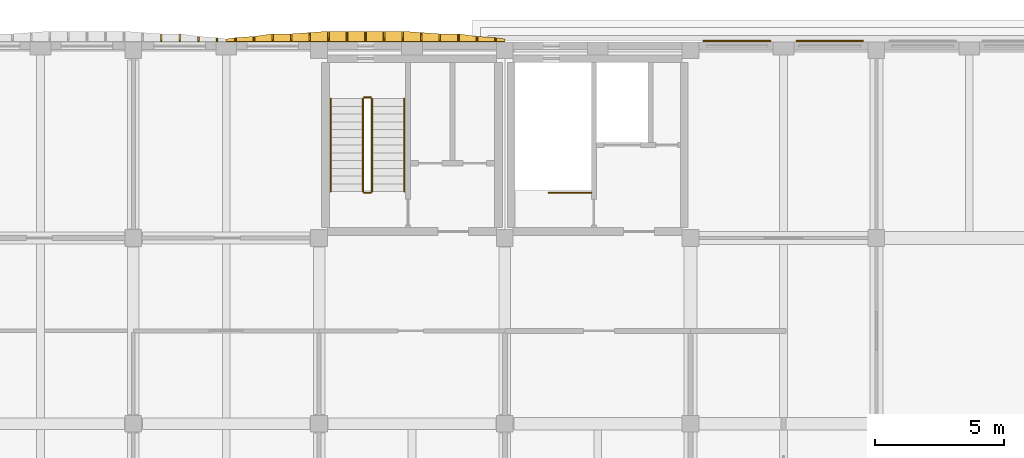
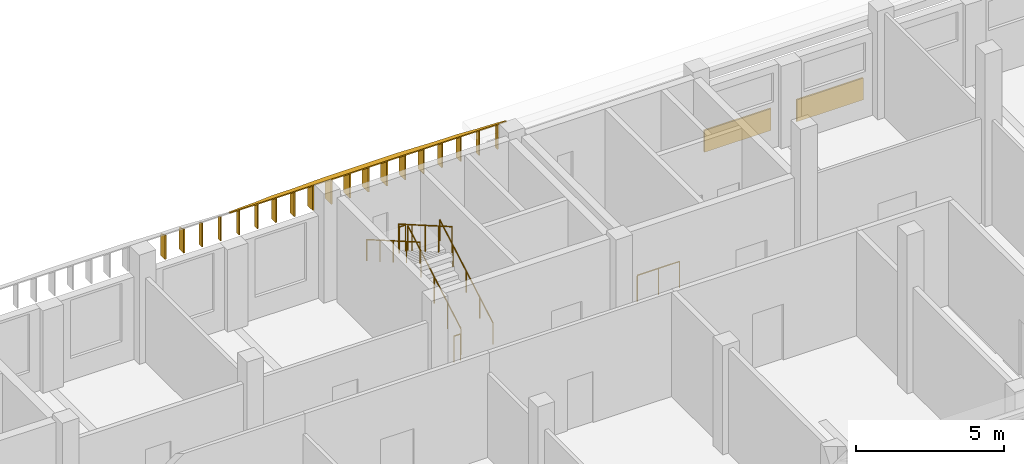
# One storey, part 53 of 58: 22 shading devices, 7 railings.
"""IFC4 building model written with IfcOpenShell, lengths in metres."""

import ifcopenshell
import ifcopenshell.guid

model = None  # the IFC model being written
_history = None  # IfcOwnerHistory: only IFC2X3 demands one
_inside = {}  # id of a spatial element -> (the spatial element, [elements in it])
_under = {}  # id of a project, library or spatial element -> (it, [spatial elements below it])
_declared = {}  # id of a project -> (the project, [libraries it declares])
_typed = {}  # id of a type object -> (the type object, [elements of that type])
_made_of = {}  # id of a material, layer set ... -> (it, [elements and type objects made of it])


def new_model(schema):
    """Start an empty IFC model of exactly this schema.

    Asked for "IFC4X3", IfcOpenShell would pick the latest addendum, in which some entities
    have other attributes; the version numbers below select the first issue.
    IFC2X3 requires an IfcOwnerHistory on every rooted entity: one is made here for all.
    """
    global model, _history
    if schema == "IFC4X3":
        model = ifcopenshell.file(schema_version=(4, 3, 0, 0))
    else:
        model = ifcopenshell.file(schema=schema)
    _inside.clear()
    _under.clear()
    _declared.clear()
    _typed.clear()
    _made_of.clear()
    _history = None
    if model.schema == "IFC2X3":
        org = make("IfcOrganization", Name="unknown")
        user = make(
            "IfcPersonAndOrganization",
            ThePerson=make("IfcPerson", FamilyName="unknown"),
            TheOrganization=org,
        )
        app = make(
            "IfcApplication",
            ApplicationDeveloper=org,
            Version="unknown",
            ApplicationFullName="unknown",
            ApplicationIdentifier="unknown",
        )
        _history = make(
            "IfcOwnerHistory",
            OwningUser=user,
            OwningApplication=app,
            ChangeAction="ADDED",
            CreationDate=0,
        )
    return model


def make(cls, **values):
    """One entity of the class cls with the attributes given. An attribute that is None is left unset."""
    return model.create_entity(
        cls, **{name: value for name, value in values.items() if value is not None}
    )


def rooted(cls, **values):
    """An entity with a GlobalId (a new one), such as an element, a storey or a relation."""
    return make(cls, GlobalId=ifcopenshell.guid.new(), OwnerHistory=_history, **values)


def si_unit(unit_type, name, prefix=None):
    """IfcSIUnit, for example si_unit("LENGTHUNIT", "METRE", prefix="MILLI")."""
    return make("IfcSIUnit", UnitType=unit_type, Prefix=prefix, Name=name)


def assignment(units):
    """IfcUnitAssignment: the units of a project."""
    return None if units is None else make("IfcUnitAssignment", Units=units)


def point(xyz):
    """IfcCartesianPoint."""
    return None if xyz is None else make("IfcCartesianPoint", Coordinates=xyz)


def direction(xyz):
    """IfcDirection."""
    return None if xyz is None else make("IfcDirection", DirectionRatios=xyz)


def frame(location, z_axis=None, x_axis=None):
    """IfcAxis2Placement3D, a coordinate frame: its origin and axes. An axis left out is left unset."""
    return make(
        "IfcAxis2Placement3D",
        Location=point(location),
        Axis=direction(z_axis),
        RefDirection=direction(x_axis),
    )


def frame_2d(location, x_axis=None):
    """IfcAxis2Placement2D, a coordinate frame in the plane: its origin and x axis."""
    return make(
        "IfcAxis2Placement2D", Location=point(location), RefDirection=direction(x_axis)
    )


def origin():
    """The frame at (0, 0, 0) with its axes left unset."""
    return frame((0.0, 0.0, 0.0))


def origin_2d():
    """The frame at (0, 0) in the plane with its x axis left unset."""
    return frame_2d((0.0, 0.0))


def place(relative_to, where):
    """IfcLocalPlacement: puts the frame where relative to a parent placement (None: the world)."""
    return make(
        "IfcLocalPlacement", PlacementRelTo=relative_to, RelativePlacement=where
    )


def context(
    kind, dimensions, precision=None, world=None, true_north=None, identifier=None
):
    """IfcGeometricRepresentationContext, for example the 3D "Model" context."""
    return make(
        "IfcGeometricRepresentationContext",
        ContextIdentifier=identifier,
        ContextType=kind,
        CoordinateSpaceDimension=dimensions,
        Precision=precision,
        WorldCoordinateSystem=world,
        TrueNorth=true_north,
    )


def subcontext(parent, identifier, kind, view, scale=None):
    """IfcGeometricRepresentationSubContext, for example "Body" below "Model"."""
    return make(
        "IfcGeometricRepresentationSubContext",
        ContextIdentifier=identifier,
        ContextType=kind,
        ParentContext=parent,
        TargetScale=scale,
        TargetView=view,
    )


def project(units=None, contexts=None):
    """IfcProject with its units and contexts."""
    return rooted(
        "IfcProject",
        Name="project",
        RepresentationContexts=contexts,
        UnitsInContext=assignment(units),
    )


def spatial(cls, under=None, at=None, **own):
    """A site, building, storey or space (cls), placed at a placement, below another one or the project."""
    s = rooted(cls, ObjectPlacement=at, **own)
    if under is not None:
        _under.setdefault(under.id(), (under, []))[1].append(s)
    return s


def polyline(points):
    """IfcPolyline through the points."""
    return make("IfcPolyline", Points=[point(p) for p in points])


def profile(cls, at=None, kind="AREA", **sizes):
    """A parametric profile (cls). Its sizes go by their IFC names, for example OverallWidth=200.0."""
    return make(cls, ProfileType=kind, Position=at, **sizes)


def rectangle(**sizes):
    """IfcRectangleProfileDef."""
    return profile("IfcRectangleProfileDef", **sizes)


def circle(**sizes):
    """IfcCircleProfileDef."""
    return profile("IfcCircleProfileDef", **sizes)


def outline(outer, holes=None, kind="AREA"):
    """IfcArbitraryClosedProfileDef: a profile drawn as a closed curve; with holes, ...WithVoids."""
    if holes is None:
        return make("IfcArbitraryClosedProfileDef", ProfileType=kind, OuterCurve=outer)
    return make(
        "IfcArbitraryProfileDefWithVoids",
        ProfileType=kind,
        OuterCurve=outer,
        InnerCurves=holes,
    )


def extrude(swept, where, along, depth):
    """IfcExtrudedAreaSolid: the profile swept, set in the frame where, extruded along a direction by depth."""
    return make(
        "IfcExtrudedAreaSolid",
        SweptArea=swept,
        Position=where,
        ExtrudedDirection=direction(along),
        Depth=depth,
    )


def shape(context_of_items, identifier, shape_type, items):
    """IfcShapeRepresentation: the items that make up one representation, for example the "Body"."""
    return make(
        "IfcShapeRepresentation",
        ContextOfItems=context_of_items,
        RepresentationIdentifier=identifier,
        RepresentationType=shape_type,
        Items=items,
    )


def material(Name=None, Category=None):
    """IfcMaterial."""
    return make("IfcMaterial", Name=Name, Category=Category)


def layer(
    of_material, thickness, ventilated=None, Name=None, Category=None, Priority=None
):
    """IfcMaterialLayer: one layer of a wall or slab, of a material (None: an air gap)."""
    return make(
        "IfcMaterialLayer",
        Material=of_material,
        LayerThickness=thickness,
        IsVentilated=ventilated,
        Name=Name,
        Category=Category,
        Priority=Priority,
    )


def layer_set(layers, Name=None):
    """IfcMaterialLayerSet."""
    return make("IfcMaterialLayerSet", MaterialLayers=layers, LayerSetName=Name)


def made_of(thing, what):
    """Note that an element or type object is made of a material, layer set ...; save() writes the relation."""
    if what is not None:
        _made_of.setdefault(what.id(), (what, []))[1].append(thing)
    return thing


def type_object(cls, material=None, **own):
    """A type object (cls), such as IfcWallType, which elements share."""
    return made_of(rooted(cls, **own), material)


def element(
    cls,
    number,
    at=None,
    inside=None,
    cuts=None,
    type_object=None,
    material=None,
    context=None,
    identifier="Body",
    shape_type=None,
    held_by="IfcProductDefinitionShape",
    body=None,
    shapes=None,
    **own,
):
    """One element of the class cls, such as IfcWall. Its Tag is "e" and its number.

    at: its placement. inside: the storey or other place that contains it. cuts: it is an
    opening in that element (IfcRelVoidsElement). A single representation is given by context,
    identifier, shape_type and body (its items); several are given by shapes. held_by: the class
    of the entity that holds the representations. save() writes the other relations.
    """
    e = rooted(cls, Tag="e%d" % number, ObjectPlacement=at, **own)
    if body is not None:
        shapes = [shape(context, identifier, shape_type, body)]
    if shapes is not None:
        e.Representation = make(held_by, Representations=shapes)
    if inside is not None:
        _inside.setdefault(inside.id(), (inside, []))[1].append(e)
    if cuts is not None:
        rooted(
            "IfcRelVoidsElement", RelatingBuildingElement=cuts, RelatedOpeningElement=e
        )
    if type_object is not None:
        _typed.setdefault(type_object.id(), (type_object, []))[1].append(e)
    return made_of(e, material)


def aggregate(whole, parts):
    """IfcRelAggregates: a whole, such as a stair, and the parts it consists of."""
    return rooted("IfcRelAggregates", RelatingObject=whole, RelatedObjects=parts)


def save(model, path):
    """Write the relations noted so far, then the file.

    IfcRelAggregates (storeys below a building ...), IfcRelContainedInSpatialStructure (elements
    in a storey), IfcRelDefinesByType, IfcRelAssociatesMaterial and IfcRelDeclares: one each for
    every whole, place, type object, material and project.
    """
    for whole, parts in _under.values():
        aggregate(whole, parts)
    for where, things in _inside.values():
        rooted(
            "IfcRelContainedInSpatialStructure",
            RelatedElements=things,
            RelatingStructure=where,
        )
    for kind, things in _typed.values():
        rooted("IfcRelDefinesByType", RelatedObjects=things, RelatingType=kind)
    for what, things in _made_of.values():
        rooted("IfcRelAssociatesMaterial", RelatedObjects=things, RelatingMaterial=what)
    for by, libraries in _declared.values():
        rooted("IfcRelDeclares", RelatingContext=by, RelatedDefinitions=libraries)
    model.write(path)


model = new_model("IFC4")

# Units and contexts
model_context = context("Model", 3, precision=1e-05, world=origin(), true_north=direction((0.0, 1.0)))
body_context = subcontext(model_context, "Body", "Model", "MODEL_VIEW")
ifc_project = project(units=[si_unit("LENGTHUNIT", "METRE"), si_unit("AREAUNIT", "SQUARE_METRE"), si_unit("VOLUMEUNIT", "CUBIC_METRE"), si_unit("PLANEANGLEUNIT", "RADIAN"), si_unit("MASSUNIT", "GRAM", prefix="KILO")], contexts=[model_context])

# Site, building, storey
site_placement = place(None, origin())
site = spatial("IfcSite", under=ifc_project, at=site_placement, CompositionType="ELEMENT")
building_placement = place(site_placement, origin())
building = spatial("IfcBuilding", under=site, at=building_placement, Name="Ussher Court Research Institute", CompositionType="ELEMENT")
storey_placement = place(building_placement, frame((0.0, 0.0, 9.89990234375)))
storey = spatial("IfcBuildingStorey", under=building, at=storey_placement, Name="L02", CompositionType="ELEMENT", Elevation=9.89990234375)

# Shading devices
ifc_material_1 = material(Name="Bronze anodised aluminium", Category="aluminium")
ifc_layer_1 = layer(ifc_material_1, 0.050048828125)
ifc_layer_set_1 = layer_set([ifc_layer_1], Name="Bronze anodised aluminium")
shading_device_type_1 = type_object("IfcShadingDeviceType", Name="Brim blade 150 mm deep 1000 mm high canted 20 deg dry", PredefinedType="USERDEFINED", material=ifc_layer_set_1)
for number, where, z_axis, x_axis, name in (
    (1, (71.0400390625, 90.800048828125, 3.4501953125), (0.0, 0.0, 1.0), (0.0, 1.0, 0.0), "Brim blade BS16 L02"),
    (2, (71.760009765625, 90.800048828125, 3.4501953125), (0.0, 0.0, 1.0), (0.0, 1.0, 0.0), "Brim blade BS16 L02"),
    (3, (81.840087890625, 90.800048828125, 3.4501953125), (0.0, 0.0, 1.0), (0.0, 1.0, 0.0), "Brim blade BS16 L02"),
):
    element("IfcShadingDevice", number, at=place(storey_placement, frame(where, z_axis=z_axis, x_axis=x_axis)), inside=storey, type_object=shading_device_type_1, Name=name, ObjectType="BLADE", PredefinedType="USERDEFINED", context=body_context, shape_type="SweptSolid", body=[
        extrude(outline(polyline([(0.0, 0.0), (0.14990234375, 0.0), (0.14990234375, 0.9453125), (0.0, 1.0), (0.0, 0.0)])), frame((0.0, 0.02490234375, 0.0), z_axis=(0.0, -1.0, 0.0), x_axis=(1.0, 0.0, 0.0)), (0.0, 0.0, 1.0), 0.050048828125),
    ])
ifc_material_2 = material(Name="Bronze anodised aluminium", Category="aluminium")
ifc_layer_2 = layer(ifc_material_2, 0.050048828125)
ifc_layer_set_2 = layer_set([ifc_layer_2], Name="Bronze anodised aluminium")
shading_device_type_2 = type_object("IfcShadingDeviceType", Name="Brim blade 200 mm deep 1000 mm high canted 20 deg dry", PredefinedType="USERDEFINED", material=ifc_layer_set_2)
for number, where, z_axis, x_axis, name in (
    (4, (70.320068359375, 90.800048828125, 3.4501953125), (0.0, 0.0, 1.0), (0.0, 1.0, 0.0), "Brim blade BS15 L02"),
    (5, (72.47998046875, 90.800048828125, 3.4501953125), (0.0, 0.0, 1.0), (0.0, 1.0, 0.0), "Brim blade BS15 L02"),
    (6, (81.1201171875, 90.800048828125, 3.4501953125), (0.0, 0.0, 1.0), (0.0, 1.0, 0.0), "Brim blade BS15 L02"),
):
    element("IfcShadingDevice", number, at=place(storey_placement, frame(where, z_axis=z_axis, x_axis=x_axis)), inside=storey, type_object=shading_device_type_2, Name=name, ObjectType="BLADE", PredefinedType="USERDEFINED", context=body_context, shape_type="SweptSolid", body=[
        extrude(outline(polyline([(0.0, 0.0), (0.199951171875, 0.0), (0.199951171875, 0.927001953125), (0.0, 1.0), (0.0, 0.0)])), frame((0.0, 0.02490234375, 0.0), z_axis=(0.0, -1.0, 0.0), x_axis=(1.0, 0.0, 0.0)), (0.0, 0.0, 1.0), 0.050048828125),
    ])
ifc_material_3 = material(Name="Bronze anodised aluminium", Category="aluminium")
ifc_layer_3 = layer(ifc_material_3, 0.050048828125)
ifc_layer_set_3 = layer_set([ifc_layer_3], Name="Bronze anodised aluminium")
shading_device_type_3 = type_object("IfcShadingDeviceType", Name="Brim blade 300 mm deep 1000 mm high canted 20 deg dry", PredefinedType="USERDEFINED", material=ifc_layer_set_3)
for number, where, z_axis, x_axis, name in (
    (7, (68.8798828125, 90.800048828125, 3.4501953125), (0.0, 0.0, 1.0), (0.0, 1.0, 0.0), "Brim blade BS13 L02"),
    (8, (69.60009765625, 90.800048828125, 3.4501953125), (0.0, 0.0, 1.0), (0.0, 1.0, 0.0), "Brim blade BS13 L02"),
    (9, (73.199951171875, 90.800048828125, 3.4501953125), (0.0, 0.0, 1.0), (0.0, 1.0, 0.0), "Brim blade BS13 L02"),
    (10, (73.919921875, 90.800048828125, 3.4501953125), (0.0, 0.0, 1.0), (0.0, 1.0, 0.0), "Brim blade BS13 L02"),
    (11, (79.679931640625, 90.800048828125, 3.4501953125), (0.0, 0.0, 1.0), (0.0, 1.0, 0.0), "Brim blade BS13 L02"),
    (12, (80.39990234375, 90.800048828125, 3.4501953125), (0.0, 0.0, 1.0), (0.0, 1.0, 0.0), "Brim blade BS13 L02"),
):
    element("IfcShadingDevice", number, at=place(storey_placement, frame(where, z_axis=z_axis, x_axis=x_axis)), inside=storey, type_object=shading_device_type_3, Name=name, ObjectType="BLADE", PredefinedType="USERDEFINED", context=body_context, shape_type="SweptSolid", body=[
        extrude(outline(polyline([(0.0, 0.0), (0.300048828125, 0.0), (0.300048828125, 0.890625), (0.0, 1.0), (0.0, 0.0)])), frame((0.0, 0.02490234375, 0.0), z_axis=(0.0, -1.0, 0.0), x_axis=(1.0, 0.0, 0.0)), (0.0, 0.0, 1.0), 0.050048828125),
    ])
ifc_material_4 = material(Name="Bronze anodised aluminium", Category="aluminium")
ifc_layer_4 = layer(ifc_material_4, 0.050048828125)
ifc_layer_set_4 = layer_set([ifc_layer_4], Name="Bronze anodised aluminium")
shading_device_type_4 = type_object("IfcShadingDeviceType", Name="Brim blade 350 mm deep 1000 mm high canted 20 deg dry", PredefinedType="USERDEFINED", material=ifc_layer_set_4)
for number, where, z_axis, x_axis, name in (
    (13, (74.639892578125, 90.800048828125, 3.4501953125), (0.0, 0.0, 1.0), (0.0, 1.0, 0.0), "Brim blade BS12 L02"),
    (14, (78.9599609375, 90.800048828125, 3.4501953125), (0.0, 0.0, 1.0), (0.0, 1.0, 0.0), "Brim blade BS12 L02"),
):
    element("IfcShadingDevice", number, at=place(storey_placement, frame(where, z_axis=z_axis, x_axis=x_axis)), inside=storey, type_object=shading_device_type_4, Name=name, ObjectType="BLADE", PredefinedType="USERDEFINED", context=body_context, shape_type="SweptSolid", body=[
        extrude(outline(polyline([(0.0, 0.0), (0.349853515625, 0.0), (0.35009765625, 0.87255859375), (0.0, 1.0), (0.0, 0.0)])), frame((0.0, 0.02490234375, 0.0), z_axis=(0.0, -1.0, 0.0), x_axis=(1.0, 0.0, 0.0)), (0.0, 0.0, 1.0), 0.050048828125),
    ])
ifc_material_5 = material(Name="Bronze anodised aluminium", Category="aluminium")
ifc_layer_5 = layer(ifc_material_5, 0.050048828125)
ifc_layer_set_5 = layer_set([ifc_layer_5], Name="Bronze anodised aluminium")
shading_device_type_5 = type_object("IfcShadingDeviceType", Name="Brim blade 400 mm deep 1000 mm high canted 20 deg dry", PredefinedType="USERDEFINED", material=ifc_layer_set_5)
for number, where, z_axis, x_axis, name in (
    (15, (75.360107421875, 90.800048828125, 3.4501953125), (0.0, 0.0, 1.0), (0.0, 1.0, 0.0), "Brim blade BS11 L02"),
    (16, (76.080078125, 90.800048828125, 3.4501953125), (0.0, 0.0, 1.0), (0.0, 1.0, 0.0), "Brim blade BS11 L02"),
    (17, (76.800048828125, 90.800048828125, 3.4501953125), (0.0, 0.0, 1.0), (0.0, 1.0, 0.0), "Brim blade BS11 L02"),
    (18, (77.52001953125, 90.800048828125, 3.4501953125), (0.0, 0.0, 1.0), (0.0, 1.0, 0.0), "Brim blade BS11 L02"),
    (19, (78.239990234375, 90.800048828125, 3.4501953125), (0.0, 0.0, 1.0), (0.0, 1.0, 0.0), "Brim blade BS11 L02"),
):
    element("IfcShadingDevice", number, at=place(storey_placement, frame(where, z_axis=z_axis, x_axis=x_axis)), inside=storey, type_object=shading_device_type_5, Name=name, ObjectType="BLADE", PredefinedType="USERDEFINED", context=body_context, shape_type="SweptSolid", body=[
        extrude(outline(polyline([(0.0, 0.0), (0.39990234375, 0.0), (0.39990234375, 0.854248046875), (0.0, 1.0), (0.0, 0.0)])), frame((0.0, 0.02490234375, 0.0), z_axis=(0.0, -1.0, 0.0), x_axis=(1.0, 0.0, 0.0)), (0.0, 0.0, 1.0), 0.050048828125),
    ])
ifc_material_6 = material(Name="Bronze anodised aluminium", Category="aluminium")
ifc_layer_6 = layer(ifc_material_6, 0.0400390625)
ifc_layer_set_6 = layer_set([ifc_layer_6], Name="Bronze anodised aluminium")
shading_device_type_6 = type_object("IfcShadingDeviceType", Name="Brim visor sheet 40 mm canted 20 deg dry", PredefinedType="USERDEFINED", material=ifc_layer_set_6)
shading_device_placement = place(storey_placement, frame((71.39990234375, 90.813720703125, 4.48779296875), z_axis=(0.0, 0.342437439102, 0.939540632597), x_axis=(1.0, 0.0, 0.0)))
element("IfcShadingDevice", 20, at=shading_device_placement, inside=storey, type_object=shading_device_type_6, Name="Brim visor sheet BR2 L02", ObjectType="BRIM", PredefinedType="USERDEFINED", context=body_context, shape_type="SweptSolid", body=[
    extrude(outline(polyline([(0.0, 0.0), (10.800048828125, 0.0), (10.800048828125, 0.1065026459450868), (10.440185546875, 0.15956639032557793), (9.72021484375, 0.21285951474332424), (9.0, 0.319362160688411), (8.280029296875, 0.319362160688411), (7.56005859375, 0.3725716822157515), (6.840087890625, 0.42563542659624265), (6.1201171875, 0.42563542659624265), (5.400146484375, 0.42563542659624265), (4.68017578125, 0.42563542659624265), (3.960205078125, 0.42563542659624265), (3.239990234375, 0.3725716822157515), (2.52001953125, 0.319362160688411), (1.800048828125, 0.319362160688411), (1.080078125, 0.21285951474332424), (0.360107421875, 0.15956639032557793), (0.0, 0.1065026459450868), (0.0, 0.0)])), origin(), (0.0, 0.0, -1.0), 0.0400390625),
])
ifc_material_7 = material(Name="Aluminium louvre", Category="aluminium")
ifc_layer_7 = layer(ifc_material_7, 0.06005859375)
ifc_layer_set_7 = layer_set([ifc_layer_7], Name="Aluminium louvre")
shading_device_type_7 = type_object("IfcShadingDeviceType", Name="Louvre panel 2600x900", PredefinedType="USERDEFINED", material=ifc_layer_set_7)
for number, where, z_axis, x_axis, name in (
    (21, (91.199951171875, 90.830078125, 0.500244140625), (0.0, 0.0, 1.0), (1.0, 0.0, 0.0), "Louvre panel LV1 L02"),
    (22, (94.800048828125, 90.830078125, 0.500244140625), (0.0, 0.0, 1.0), (1.0, 0.0, 0.0), "Louvre panel LV1 L02"),
):
    element("IfcShadingDevice", number, at=place(storey_placement, frame(where, z_axis=z_axis, x_axis=x_axis)), inside=storey, type_object=shading_device_type_7, Name=name, ObjectType="LOUVRE", PredefinedType="USERDEFINED", context=body_context, shape_type="SweptSolid", body=[
        extrude(rectangle(XDim=2.60009765625, YDim=0.06005859375, at=origin_2d()), origin(), (0.0, 0.0, 1.0), 0.89990234375),
    ])

# Railings
ifc_material_8 = material(Name="Painted steel balustrade", Category="steel")
railing_type_1 = type_object("IfcRailingType", Name="Stair guard 1100 steel balustrade", PredefinedType="GUARDRAIL", material=ifc_material_8)
railing_1_placement = place(storey_placement, frame((85.550048828125, 84.949951171875, 0.0)))
element("IfcRailing", 23, at=railing_1_placement, inside=storey, type_object=railing_type_1, Name="L02 C1 top well guard 1", PredefinedType="GUARDRAIL", context=body_context, shape_type="SweptSolid", body=[
    extrude(circle(Radius=0.02392578125, at=origin_2d()), frame((0.0, 0.0, 1.076171875), z_axis=(-1.0, 0.0, 0.0), x_axis=(0.0, -1.0, 0.0)), (0.0, 0.0, 1.0), 1.650146484375),
    extrude(circle(Radius=0.02099609375, at=origin_2d()), origin(), (0.0, 0.0, 1.0), 1.052001953125),
    extrude(circle(Radius=0.02099609375, at=origin_2d()), frame((-0.8251953125, 0.0, 0.0)), (0.0, 0.0, 1.0), 1.052001953125),
    extrude(circle(Radius=0.02099609375, at=origin_2d()), frame((-1.650146484375, 0.0, 0.0)), (0.0, 0.0, 1.0), 1.052001953125),
])
railing_2_placement = place(storey_placement, frame((77.050048828125, 85.0, 0.173095703125)))
element("IfcRailing", 24, at=railing_2_placement, inside=storey, type_object=railing_type_1, Name="L02 D3 stair guard 1", PredefinedType="GUARDRAIL", context=body_context, shape_type="SweptSolid", body=[
    extrude(circle(Radius=0.02392578125, at=origin_2d()), frame((0.0, 0.0, 1.076171875), z_axis=(0.0, 0.866193409371, 0.499708892819), x_axis=(-1.0, 0.0, 0.0)), (0.0, 0.0, 1.0), 4.15625),
    extrude(circle(Radius=0.02099609375, at=origin_2d()), origin(), (0.0, 0.0, 1.0), 1.052001953125),
    extrude(circle(Radius=0.02099609375, at=origin_2d()), frame((0.0, 0.89990234375, 0.519287109375)), (0.0, 0.0, 1.0), 1.052001953125),
    extrude(circle(Radius=0.02099609375, at=origin_2d()), frame((0.0, 1.800048828125, 1.03857421875)), (0.0, 0.0, 1.0), 1.052001953125),
    extrude(circle(Radius=0.02099609375, at=origin_2d()), frame((0.0, 2.7001953125, 1.5576171875)), (0.0, 0.0, 1.0), 1.052001953125),
    extrude(circle(Radius=0.02099609375, at=origin_2d()), frame((0.0, 3.60009765625, 2.076904296875)), (0.0, 0.0, 1.0), 1.052001953125),
])
railing_3_placement = place(storey_placement, frame((77.0, 88.64990234375, 2.25)))
element("IfcRailing", 25, at=railing_3_placement, inside=storey, type_object=railing_type_1, Name="L02 D3 stair guard 2", PredefinedType="GUARDRAIL", context=body_context, shape_type="SweptSolid", body=[
    extrude(circle(Radius=0.02392578125, at=origin_2d()), frame((0.0, 0.0, 1.076171875), z_axis=(-1.0, 0.0, 0.0), x_axis=(0.0, -1.0, 0.0)), (0.0, 0.0, 1.0), 0.25),
    extrude(circle(Radius=0.02099609375, at=origin_2d()), origin(), (0.0, 0.0, 1.0), 1.052001953125),
    extrude(circle(Radius=0.02099609375, at=origin_2d()), frame((-0.25, 0.0, 0.0)), (0.0, 0.0, 1.0), 1.052001953125),
])
railing_4_placement = place(storey_placement, frame((76.699951171875, 88.60009765625, 2.423095703125)))
element("IfcRailing", 26, at=railing_4_placement, inside=storey, type_object=railing_type_1, Name="L02 D3 stair guard 3", PredefinedType="GUARDRAIL", context=body_context, shape_type="SweptSolid", body=[
    extrude(circle(Radius=0.02392578125, at=origin_2d()), frame((0.0, 0.0, 1.076171875), z_axis=(0.0, -0.866193409371, 0.499708892819), x_axis=(1.0, 0.0, 0.0)), (0.0, 0.0, 1.0), 4.15625),
    extrude(circle(Radius=0.02099609375, at=origin_2d()), origin(), (0.0, 0.0, 1.0), 1.052001953125),
    extrude(circle(Radius=0.02099609375, at=origin_2d()), frame((0.0, -0.89990234375, 0.519287109375)), (0.0, 0.0, 1.0), 1.052001953125),
    extrude(circle(Radius=0.02099609375, at=origin_2d()), frame((0.0, -1.800048828125, 1.03857421875)), (0.0, 0.0, 1.0), 1.052001953125),
    extrude(circle(Radius=0.02099609375, at=origin_2d()), frame((0.0, -2.7001953125, 1.5576171875)), (0.0, 0.0, 1.0), 1.052001953125),
    extrude(circle(Radius=0.02099609375, at=origin_2d()), frame((0.0, -3.60009765625, 2.076904296875)), (0.0, 0.0, 1.0), 1.052001953125),
])
railing_5_placement = place(storey_placement, frame((77.0, 84.949951171875, 0.0)))
element("IfcRailing", 27, at=railing_5_placement, inside=storey, type_object=railing_type_1, Name="L02 D3 stair guard 4", PredefinedType="GUARDRAIL", context=body_context, shape_type="SweptSolid", body=[
    extrude(circle(Radius=0.02392578125, at=origin_2d()), frame((0.0, 0.0, 1.076171875), z_axis=(-1.0, 0.0, 0.0), x_axis=(0.0, -1.0, 0.0)), (0.0, 0.0, 1.0), 0.25),
    extrude(circle(Radius=0.02099609375, at=origin_2d()), origin(), (0.0, 0.0, 1.0), 1.052001953125),
    extrude(circle(Radius=0.02099609375, at=origin_2d()), frame((-0.25, 0.0, 0.0)), (0.0, 0.0, 1.0), 1.052001953125),
])
ifc_material_9 = material(Name="Painted steel handrail", Category="steel")
railing_type_2 = type_object("IfcRailingType", Name="Stair handrail 900 steel", PredefinedType="HANDRAIL", material=ifc_material_9)
railing_6_placement = place(storey_placement, frame((78.300048828125, 85.0, 0.173095703125)))
element("IfcRailing", 28, at=railing_6_placement, inside=storey, type_object=railing_type_2, Name="L02 D3 stair handrail 1", PredefinedType="HANDRAIL", context=body_context, shape_type="SweptSolid", body=[
    extrude(circle(Radius=0.02392578125, at=origin_2d()), frame((0.0, 0.0, 0.8759765625), z_axis=(0.0, 0.866193409371, 0.499708892819), x_axis=(-1.0, 0.0, 0.0)), (0.0, 0.0, 1.0), 4.15625),
    extrude(circle(Radius=0.02099609375, at=origin_2d()), origin(), (0.0, 0.0, 1.0), 0.851806640625),
    extrude(circle(Radius=0.02099609375, at=origin_2d()), frame((0.0, 0.89990234375, 0.519287109375)), (0.0, 0.0, 1.0), 0.851806640625),
    extrude(circle(Radius=0.02099609375, at=origin_2d()), frame((0.0, 1.800048828125, 1.03857421875)), (0.0, 0.0, 1.0), 0.851806640625),
    extrude(circle(Radius=0.02099609375, at=origin_2d()), frame((0.0, 2.7001953125, 1.5576171875)), (0.0, 0.0, 1.0), 0.851806640625),
    extrude(circle(Radius=0.02099609375, at=origin_2d()), frame((0.0, 3.60009765625, 2.076904296875)), (0.0, 0.0, 1.0), 0.851806640625),
])
railing_7_placement = place(storey_placement, frame((75.449951171875, 88.60009765625, 2.423095703125)))
element("IfcRailing", 29, at=railing_7_placement, inside=storey, type_object=railing_type_2, Name="L02 D3 stair handrail 2", PredefinedType="HANDRAIL", context=body_context, shape_type="SweptSolid", body=[
    extrude(circle(Radius=0.02392578125, at=origin_2d()), frame((0.0, 0.0, 0.8759765625), z_axis=(0.0, -0.866193409371, 0.499708892819), x_axis=(1.0, 0.0, 0.0)), (0.0, 0.0, 1.0), 4.15625),
    extrude(circle(Radius=0.02099609375, at=origin_2d()), origin(), (0.0, 0.0, 1.0), 0.851806640625),
    extrude(circle(Radius=0.02099609375, at=origin_2d()), frame((0.0, -0.89990234375, 0.519287109375)), (0.0, 0.0, 1.0), 0.851806640625),
    extrude(circle(Radius=0.02099609375, at=origin_2d()), frame((0.0, -1.800048828125, 1.03857421875)), (0.0, 0.0, 1.0), 0.851806640625),
    extrude(circle(Radius=0.02099609375, at=origin_2d()), frame((0.0, -2.7001953125, 1.5576171875)), (0.0, 0.0, 1.0), 0.851806640625),
    extrude(circle(Radius=0.02099609375, at=origin_2d()), frame((0.0, -3.60009765625, 2.076904296875)), (0.0, 0.0, 1.0), 0.851806640625),
])

save(model, "model.ifc")
